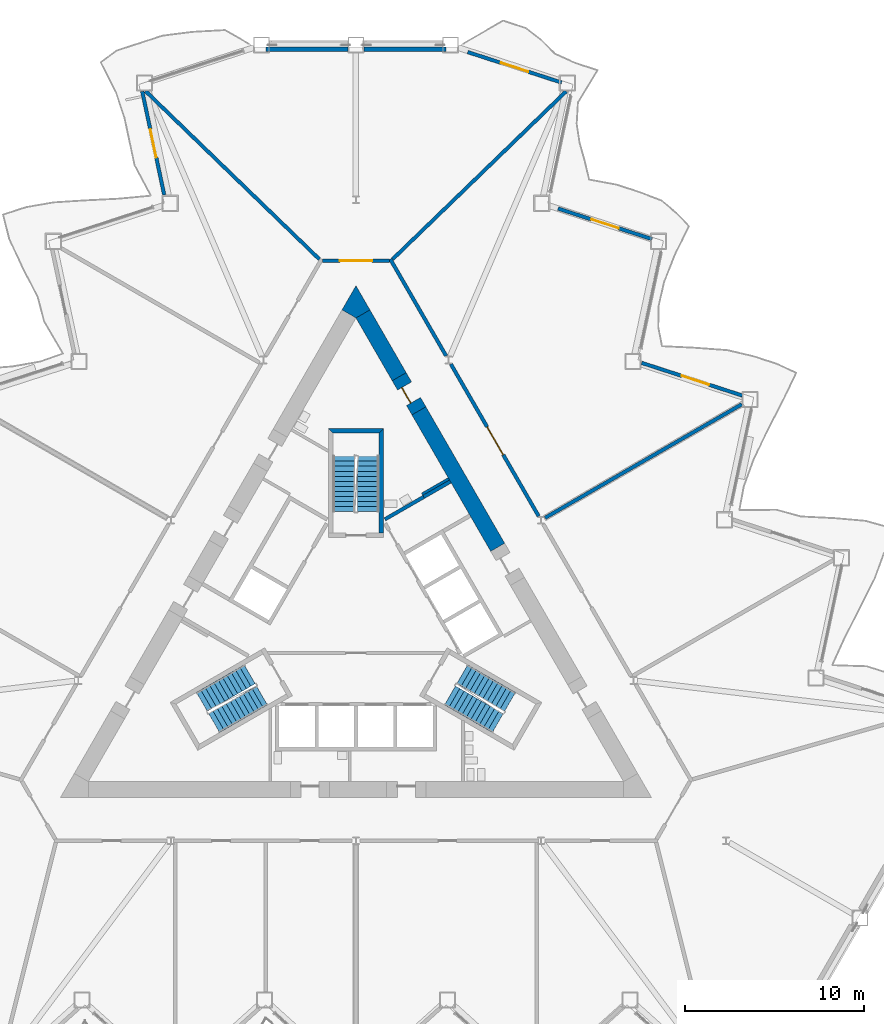
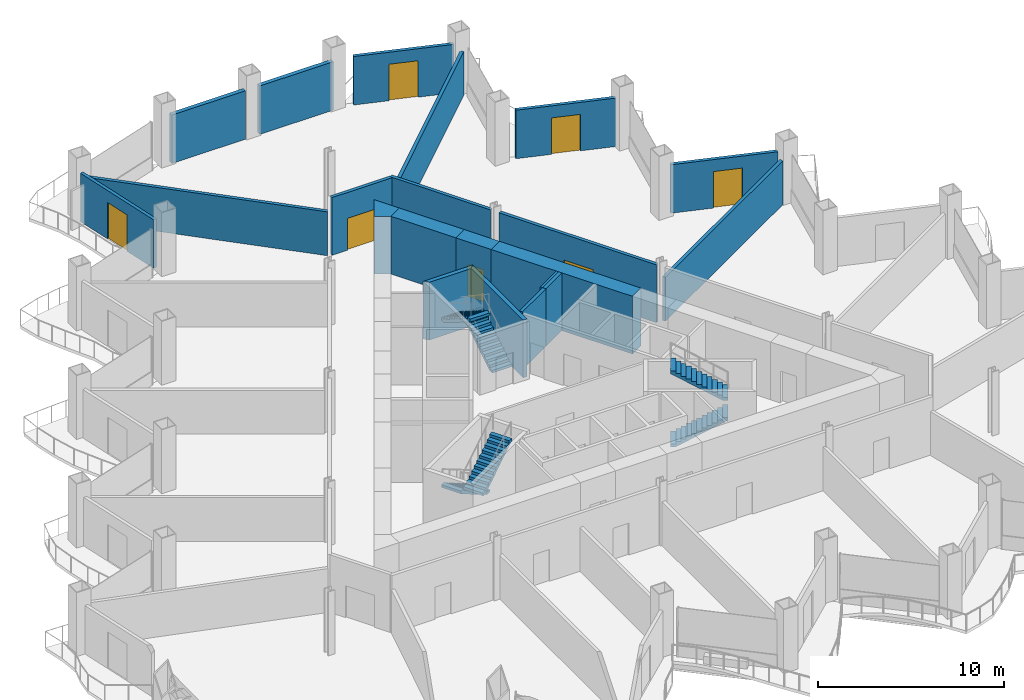
# One storey, part 13 of 21: 21 walls, 7 doors, 6 stair flights, 7 openings, 3 elements without a shape of their own.
"""IFC4 building model written with IfcOpenShell, lengths in metres."""

from ifc_helpers import new_model, si_unit, direction, frame, frame_2d, origin, place, context, subcontext, project, spatial, polyline, rectangle, outline, extrude, material, layer, layer_set, type_object, element, fill, aggregate, save


model = new_model("IFC4")

# Units and contexts
model_context = context("Model", 3, precision=1e-05, world=origin(), true_north=direction((0.0, 1.0)))
body_context = subcontext(model_context, "Body", "Model", "MODEL_VIEW")
ifc_project = project(units=[si_unit("LENGTHUNIT", "METRE"), si_unit("AREAUNIT", "SQUARE_METRE"), si_unit("VOLUMEUNIT", "CUBIC_METRE"), si_unit("PLANEANGLEUNIT", "RADIAN"), si_unit("MASSUNIT", "GRAM", prefix="KILO")], contexts=[model_context])

# Site, building, storey
site_placement = place(None, origin())
site = spatial("IfcSite", under=ifc_project, at=site_placement, CompositionType="ELEMENT")
building_placement = place(site_placement, origin())
building = spatial("IfcBuilding", under=site, at=building_placement, Name="Cormorant Prow Tower", CompositionType="ELEMENT")
storey_placement = place(building_placement, frame((0.0, 0.0, 129.0)))
storey = spatial("IfcBuildingStorey", under=building, at=storey_placement, Name="L27", CompositionType="ELEMENT", Elevation=129.0)

# Walls
ifc_material_1 = material(Name="Gypsum board partition")
ifc_layer_1 = layer(ifc_material_1, 0.14990234375)
ifc_layer_set_1 = layer_set([ifc_layer_1], Name="Gypsum board partition")
wall_type_1 = type_object("IfcWallType", Name="Core partition 150", PredefinedType="PARTITIONING", material=ifc_layer_set_1)
wall_1_placement = place(storey_placement, frame((3.693359375, 7.4150390625, 0.0), z_axis=(0.0, 0.0, 1.0), x_axis=(0.866024871741, 0.500000921525, 0.0)))
element("IfcWall", 1, at=wall_1_placement, inside=storey, type_object=wall_type_1, Name="Service room partition", PredefinedType="PARTITIONING", context=body_context, shape_type="SweptSolid", body=[
    extrude(rectangle(XDim=1.72021484375, YDim=0.14990234375, at=frame_2d((0.860107421875, 0.0))), origin(), (0.0, 0.0, 1.0), 3.800048828125),
])
ifc_material_2 = material(Name="Concrete 8000 psi", Category="concrete")
ifc_layer_2 = layer(ifc_material_2, 0.89990234375)
ifc_layer_set_2 = layer_set([ifc_layer_2], Name="Concrete 8000 psi")
wall_type_2 = type_object("IfcWallType", Name="Core shear wall 900", PredefinedType="SHEAR", material=ifc_layer_set_2)
wall_2_placement = place(storey_placement, frame((7.910400390625, 4.451416015625, 0.0), z_axis=(0.0, 0.0, 1.0), x_axis=(-0.500001962043, 0.866024270995, 0.0)))
element("IfcWall", 2, at=wall_2_placement, inside=storey, type_object=wall_type_2, Name="Core wall", PredefinedType="SHEAR", context=body_context, shape_type="SweptSolid", body=[
    extrude(rectangle(XDim=8.7958984375, YDim=0.89990234375, at=frame_2d((4.39794921875, 0.0))), origin(), (0.0, 0.0, 1.0), 3.800048828125),
])
wall_3_placement = place(storey_placement, frame((2.41259765625, 13.97412109375, 0.0), z_axis=(0.0, 0.0, 1.0), x_axis=(-0.500046330384, 0.865998653272, 0.0)))
element("IfcWall", 3, at=wall_3_placement, inside=storey, type_object=wall_type_2, Name="Core wall", PredefinedType="SHEAR", context=body_context, shape_type="SweptSolid", body=[
    extrude(rectangle(XDim=4.04541015625, YDim=0.89990234375, at=frame_2d((2.022705078125, 0.0))), origin(), (0.0, 0.0, 1.0), 3.800048828125),
])
wall_4_placement = place(storey_placement, origin())
element("IfcWall", 4, at=wall_4_placement, inside=storey, type_object=wall_type_2, Name="Core wall corner", PredefinedType="SHEAR", context=body_context, shape_type="SweptSolid", body=[
    extrude(outline(polyline([(-0.779296875, 17.70263671875), (0.0, 19.052490234375), (0.779296875, 17.70263671875), (0.0, 17.252685546875), (-0.779296875, 17.70263671875)])), origin(), (0.0, 0.0, 1.0), 3.800048828125),
])

# Wall, opening, door
wall_5_placement = place(storey_placement, frame((3.512451171875, 12.06884765625, 0.0), z_axis=(0.0, 0.0, 1.0), x_axis=(-0.499946605688, 0.86605622881, 0.0)))
wall_5 = element("IfcWall", 5, at=wall_5_placement, inside=storey, type_object=wall_type_2, Name="Core wall door panel", PredefinedType="SHEAR", context=body_context, shape_type="SweptSolid", body=[
    extrude(rectangle(XDim=2.199951171875, YDim=0.89990234375, at=frame_2d((1.10009765625, 0.0))), origin(), (0.0, 0.0, 1.0), 3.800048828125),
])
opening_1_placement = place(wall_5_placement, frame((0.60009765625, 0.0, 0.0)))
opening_1 = element("IfcOpeningElement", 6, at=opening_1_placement, cuts=wall_5, Name="Opening L27-C21", PredefinedType="OPENING", context=body_context, shape_type="SweptSolid", body=[
    extrude(rectangle(XDim=1.0, YDim=2.10009765625, at=frame_2d((0.5, 1.050048828125))), frame((0.0, 0.4599609375, 0.0), z_axis=(0.0, -1.0, 0.0), x_axis=(1.0, 0.0, 0.0)), (0.0, 0.0, 1.0), 0.919921875),
])
ifc_material_3 = material(Name="Painted steel", Category="steel")
door_type_1 = type_object("IfcDoorType", Name="Service door 1000x2100", OperationType="NOTDEFINED", PredefinedType="DOOR", material=ifc_material_3)
door_1_placement = place(opening_1_placement, origin())
door_1 = element("IfcDoor", 7, at=door_1_placement, inside=storey, type_object=door_type_1, Name="Core door, Toilets (men) L27", OperationType="SINGLE_SWING_LEFT", OverallHeight=2.10009765625, OverallWidth=1.0, PredefinedType="DOOR", context=body_context, shape_type="SweptSolid", body=[
    extrude(rectangle(XDim=1.0, YDim=2.10009765625, at=frame_2d((0.5, 1.050048828125))), frame((0.0, 0.205078125, 0.0), z_axis=(0.0, -1.0, 0.0), x_axis=(1.0, 0.0, 0.0)), (0.0, 0.0, 1.0), 0.050048828125),
])
fill(opening_1, door_1)

ifc_material_4 = material(Name="Gypsum board corridor wall")
ifc_layer_3 = layer(ifc_material_4, 0.199951171875)
ifc_layer_set_3 = layer_set([ifc_layer_3], Name="Gypsum board corridor wall")
wall_type_3 = type_object("IfcWallType", Name="Corridor wall 200", PredefinedType="PARTITIONING", material=ifc_layer_set_3)
wall_6_placement = place(storey_placement, frame((5.29541015625, 14.680419921875, 0.0), z_axis=(0.0, 0.0, 1.0), x_axis=(0.500012035596, -0.866018454918, 0.0)))
wall_6 = element("IfcWall", 8, at=wall_6_placement, inside=storey, type_object=wall_type_3, Name="Corridor wall", PredefinedType="PARTITIONING", context=body_context, shape_type="SweptSolid", body=[
    extrude(rectangle(XDim=9.803466796875, YDim=0.199951171875, at=frame_2d((4.90185546875, 0.0))), origin(), (0.0, 0.0, 1.0), 3.800048828125),
])
opening_2_placement = place(wall_6_placement, frame((4.0517578125, 0.0, 0.0)))
opening_2 = element("IfcOpeningElement", 9, at=opening_2_placement, cuts=wall_6, Name="Opening L27-F09", PredefinedType="OPENING", context=body_context, shape_type="SweptSolid", body=[
    extrude(rectangle(XDim=1.800048828125, YDim=2.10009765625, at=frame_2d((0.89990234375, 1.050048828125))), frame((0.0, 0.10986328125, 0.0), z_axis=(0.0, -1.0, 0.0), x_axis=(1.0, 0.0, 0.0)), (0.0, 0.0, 1.0), 0.219970703125),
])
ifc_material_5 = material(Name="Timber door leaf", Category="wood")
door_type_2 = type_object("IfcDoorType", Name="Double door 1800x2100", OperationType="DOUBLE_DOOR_SINGLE_SWING", PredefinedType="DOOR", material=ifc_material_5)
door_2_placement = place(opening_2_placement, origin())
door_2 = element("IfcDoor", 10, at=door_2_placement, inside=storey, type_object=door_type_2, Name="Trading room door", OperationType="DOUBLE_DOOR_SINGLE_SWING", OverallHeight=2.10009765625, OverallWidth=1.800048828125, PredefinedType="DOOR", context=body_context, shape_type="SweptSolid", body=[
    extrude(rectangle(XDim=1.800048828125, YDim=2.10009765625, at=frame_2d((0.89990234375, 1.050048828125))), frame((0.0, 0.02490234375, 0.0), z_axis=(0.0, -1.0, 0.0), x_axis=(1.0, 0.0, 0.0)), (0.0, 0.0, 1.0), 0.050048828125),
])
fill(opening_2, door_2)

# Wall
wall_7_placement = place(storey_placement, frame((1.9130859375, 20.539306640625, 0.0), z_axis=(0.0, 0.0, 1.0), x_axis=(0.499980978912, -0.866036385336, 0.0)))
element("IfcWall", 11, at=wall_7_placement, inside=storey, type_object=wall_type_3, Name="Corridor wall", PredefinedType="PARTITIONING", context=body_context, shape_type="SweptSolid", body=[
    extrude(rectangle(XDim=6.239990234375, YDim=0.199951171875, at=frame_2d((3.1201171875, 0.0))), origin(), (0.0, 0.0, 1.0), 3.800048828125),
])

# Wall, opening, door
wall_8_placement = place(storey_placement, frame((-1.863037109375, 20.45263671875, 0.0), z_axis=(0.0, 0.0, 1.0), x_axis=(1.0, 0.0, 0.0)))
wall_8 = element("IfcWall", 12, at=wall_8_placement, inside=storey, type_object=wall_type_3, Name="Corridor wall", PredefinedType="PARTITIONING", context=body_context, shape_type="SweptSolid", body=[
    extrude(rectangle(XDim=3.72607421875, YDim=0.199951171875, at=frame_2d((1.863037109375, 0.0))), origin(), (0.0, 0.0, 1.0), 3.800048828125),
])
opening_3_placement = place(wall_8_placement, frame((0.962890625, 0.0, 0.0)))
opening_3 = element("IfcOpeningElement", 13, at=opening_3_placement, cuts=wall_8, Name="Opening L27-F10", PredefinedType="OPENING", context=body_context, shape_type="SweptSolid", body=[
    extrude(rectangle(XDim=1.800048828125, YDim=2.10009765625, at=frame_2d((0.89990234375, 1.050048828125))), frame((0.0, 0.10986328125, 0.0), z_axis=(0.0, -1.0, 0.0), x_axis=(1.0, 0.0, 0.0)), (0.0, 0.0, 1.0), 0.219970703125),
])
door_3_placement = place(opening_3_placement, origin())
door_3 = element("IfcDoor", 14, at=door_3_placement, inside=storey, type_object=door_type_2, Name="Open-plan office door", OperationType="DOUBLE_DOOR_SINGLE_SWING", OverallHeight=2.10009765625, OverallWidth=1.800048828125, PredefinedType="DOOR", context=body_context, shape_type="SweptSolid", body=[
    extrude(rectangle(XDim=1.800048828125, YDim=2.10009765625, at=frame_2d((0.89990234375, 1.050048828125))), frame((0.0, 0.02490234375, 0.0), z_axis=(0.0, -1.0, 0.0), x_axis=(1.0, 0.0, 0.0)), (0.0, 0.0, 1.0), 0.050048828125),
])
fill(opening_3, door_3)

# Walls
ifc_material_6 = material(Name="Gypsum board demising wall")
ifc_layer_4 = layer(ifc_material_6, 0.199951171875)
ifc_layer_set_4 = layer_set([ifc_layer_4], Name="Gypsum board demising wall")
wall_type_4 = type_object("IfcWallType", Name="Demising wall 200", PredefinedType="PARTITIONING", material=ifc_layer_set_4)
for number, where, z_axis, x_axis, name in (
    (15, (-11.737060546875, 29.90625, 0.0), (0.0, 0.0, 1.0), (0.718783474817, -0.695234001132, 0.0), "Demising wall"),
    (16, (2.034912109375, 20.52197265625, 0.0), (0.0, 0.0, 1.0), (0.718783474817, 0.695234001132, 0.0), "Demising wall"),
):
    element("IfcWall", number, at=place(storey_placement, frame(where, z_axis=z_axis, x_axis=x_axis)), inside=storey, type_object=wall_type_4, Name=name, PredefinedType="PARTITIONING", context=body_context, shape_type="SweptSolid", body=[
        extrude(rectangle(XDim=13.498046875, YDim=0.199951171875, at=frame_2d((6.7490234375, 0.0))), origin(), (0.0, 0.0, 1.0), 2.88525390625),
    ])
wall_9_placement = place(storey_placement, frame((10.555908203125, 6.094482421875, 0.0), z_axis=(0.0, 0.0, 1.0), x_axis=(0.86602461759, 0.500001361726, 0.0)))
element("IfcWall", 17, at=wall_9_placement, inside=storey, type_object=wall_type_4, Name="Demising wall", PredefinedType="PARTITIONING", context=body_context, shape_type="SweptSolid", body=[
    extrude(rectangle(XDim=12.67919921875, YDim=0.199951171875, at=frame_2d((6.339599609375, 0.0))), origin(), (0.0, 0.0, 1.0), 2.88525390625),
])
ifc_material_7 = material(Name="Concrete 8000 psi", Category="concrete")
ifc_layer_5 = layer(ifc_material_7, 0.199951171875)
ifc_layer_set_5 = layer_set([ifc_layer_5], Name="Concrete 8000 psi")
wall_type_5 = type_object("IfcWallType", Name="Lift shaft wall 200", PredefinedType="SHEAR", material=ifc_layer_set_5)
wall_10_placement = place(storey_placement, origin())
element("IfcWall", 18, at=wall_10_placement, inside=storey, type_object=wall_type_5, Name="Lift shaft walls, ENE block", PredefinedType="SHEAR", context=body_context, shape_type="SweptSolid", body=[
    extrude(outline(polyline([(1.560546875, 6.09716796875), (3.730712890625, 7.35009765625), (3.830810546875, 7.177001953125), (1.660400390625, 5.923828125), (1.560546875, 6.09716796875)])), origin(), (0.0, 0.0, 1.0), 3.800048828125),
])
wall_11_placement = place(storey_placement, frame((3.78076171875, 7.263427734375, 0.0), z_axis=(0.0, 0.0, 1.0), x_axis=(0.865963414263, 0.500107353632, 0.0)))
element("IfcWall", 19, at=wall_11_placement, inside=storey, type_object=wall_type_5, Name="Store side wall", PredefinedType="SHEAR", context=body_context, shape_type="SweptSolid", body=[
    extrude(rectangle(XDim=1.72021484375, YDim=0.199951171875, at=frame_2d((0.860107421875, 0.0))), origin(), (0.0, 0.0, 1.0), 3.800048828125),
])
ifc_material_8 = material(Name="Concrete 8000 psi", Category="concrete")
ifc_layer_6 = layer(ifc_material_8, 0.25)
ifc_layer_set_6 = layer_set([ifc_layer_6], Name="Concrete 8000 psi")
wall_type_6 = type_object("IfcWallType", Name="Stair wall 250", PredefinedType="SHEAR", material=ifc_layer_set_6)
wall_12_placement = place(storey_placement, origin())
element("IfcWall", 20, at=wall_12_placement, inside=storey, type_object=wall_type_6, Name="Stair ST3 enclosure wall (flank)", PredefinedType="SHEAR", context=body_context, shape_type="SweptSolid", body=[
    extrude(outline(polyline([(1.5439453125, 5.23681640625), (1.5439453125, 11.0869140625), (1.2939453125, 10.8369140625), (1.2939453125, 5.23681640625), (1.5439453125, 5.23681640625)])), origin(), (0.0, 0.0, 1.0), 3.800048828125),
])
wall_13_placement = place(storey_placement, origin())
element("IfcWall", 21, at=wall_13_placement, inside=storey, type_object=wall_type_6, Name="Stair ST3 enclosure wall (end)", PredefinedType="SHEAR", context=body_context, shape_type="SweptSolid", body=[
    extrude(outline(polyline([(1.5439453125, 11.0869140625), (-1.5439453125, 11.0869140625), (-1.2939453125, 10.8369140625), (1.2939453125, 10.8369140625), (1.5439453125, 11.0869140625)])), origin(), (0.0, 0.0, 1.0), 3.800048828125),
])
ifc_material_9 = material(Name="Terracotta", Category="masonry")
ifc_layer_7 = layer(ifc_material_9, 0.25)
ifc_layer_set_7 = layer_set([ifc_layer_7], Name="Terracotta")
wall_type_7 = type_object("IfcWallType", Name="Terracotta bay wall 250", PredefinedType="SOLIDWALL", material=ifc_layer_set_7)
for number, where, z_axis, x_axis, name in (
    (22, (5.025146484375, 32.261474609375, 0.0), (0.0, 0.0, 1.0), (-1.0, 0.0, 0.0), "Terracotta bay wall N00"),
    (23, (-0.449951171875, 32.261474609375, 0.0), (0.0, 0.0, 1.0), (-1.0, 0.0, 0.0), "Terracotta bay wall N01"),
):
    element("IfcWall", number, at=place(storey_placement, frame(where, z_axis=z_axis, x_axis=x_axis)), inside=storey, type_object=wall_type_7, Name=name, PredefinedType="SOLIDWALL", context=body_context, shape_type="SweptSolid", body=[
        extrude(rectangle(XDim=4.5751953125, YDim=0.25, at=frame_2d((2.28759765625, 0.0))), origin(), (0.0, 0.0, 1.0), 3.18896484375),
    ])

# Wall, opening, door
ifc_material_10 = material(Name="Terracotta", Category="masonry")
ifc_layer_8 = layer(ifc_material_10, 0.199951171875)
ifc_layer_set_8 = layer_set([ifc_layer_8], Name="Terracotta")
wall_type_8 = type_object("IfcWallType", Name="Terracotta jamb wall 200", PredefinedType="SOLIDWALL", material=ifc_layer_set_8)
wall_14_placement = place(storey_placement, frame((21.566650390625, 12.919921875, 0.0), z_axis=(0.0, 0.0, 1.0), x_axis=(-0.951051366173, 0.309032844373, 0.0)))
wall_14 = element("IfcWall", 24, at=wall_14_placement, inside=storey, type_object=wall_type_8, Name="Terracotta jamb wall ENE05", PredefinedType="SOLIDWALL", context=body_context, shape_type="SweptSolid", body=[
    extrude(rectangle(XDim=5.91162109375, YDim=0.199951171875, at=frame_2d((2.955810546875, 0.0))), origin(), (0.0, 0.0, 1.0), 3.18896484375),
])
opening_4_placement = place(wall_14_placement, frame((1.957275390625, 0.0, 0.0)))
opening_4 = element("IfcOpeningElement", 25, at=opening_4_placement, cuts=wall_14, Name="Opening ED27.08", PredefinedType="OPENING", context=body_context, shape_type="SweptSolid", body=[
    extrude(rectangle(XDim=1.60009765625, YDim=2.39990234375, at=frame_2d((0.800048828125, 1.199951171875))), frame((0.0, 0.10986328125, 0.0), z_axis=(0.0, -1.0, 0.0), x_axis=(1.0, 0.0, 0.0)), (0.0, 0.0, 1.0), 0.219970703125),
])
ifc_material_11 = material(Name="Aluminium 6063-T6", Category="aluminium")
door_type_3 = type_object("IfcDoorType", Name="Balcony door 1600x2400", OperationType="DOUBLE_DOOR_SINGLE_SWING", PredefinedType="DOOR", material=ifc_material_11)
door_4_placement = place(opening_4_placement, origin())
door_4 = element("IfcDoor", 26, at=door_4_placement, inside=storey, type_object=door_type_3, Name="Balcony door ENE05 ED27.08", OperationType="DOUBLE_DOOR_SINGLE_SWING", OverallHeight=2.39990234375, OverallWidth=1.60009765625, PredefinedType="DOOR", context=body_context, shape_type="SweptSolid", body=[
    extrude(rectangle(XDim=1.60009765625, YDim=2.39990234375, at=frame_2d((0.800048828125, 1.199951171875))), frame((0.0, 0.02490234375, 0.0), z_axis=(0.0, -1.0, 0.0), x_axis=(1.0, 0.0, 0.0)), (0.0, 0.0, 1.0), 0.050048828125),
])
fill(opening_4, door_4)

wall_15_placement = place(storey_placement, frame((16.523193359375, 21.6552734375, 0.0), z_axis=(0.0, 0.0, 1.0), x_axis=(-0.951055539332, 0.309020001142, 0.0)))
wall_15 = element("IfcWall", 27, at=wall_15_placement, inside=storey, type_object=wall_type_8, Name="Terracotta jamb wall ENE07", PredefinedType="SOLIDWALL", context=body_context, shape_type="SweptSolid", body=[
    extrude(rectangle(XDim=5.5146484375, YDim=0.199951171875, at=frame_2d((2.75732421875, 0.0))), origin(), (0.0, 0.0, 1.0), 3.18896484375),
])
opening_5_placement = place(wall_15_placement, frame((1.957275390625, 0.0, 0.0)))
opening_5 = element("IfcOpeningElement", 28, at=opening_5_placement, cuts=wall_15, Name="Opening ED27.09", PredefinedType="OPENING", context=body_context, shape_type="SweptSolid", body=[
    extrude(rectangle(XDim=1.60009765625, YDim=2.39990234375, at=frame_2d((0.800048828125, 1.199951171875))), frame((0.0, 0.10986328125, 0.0), z_axis=(0.0, -1.0, 0.0), x_axis=(1.0, 0.0, 0.0)), (0.0, 0.0, 1.0), 0.219970703125),
])
door_5_placement = place(opening_5_placement, origin())
door_5 = element("IfcDoor", 29, at=door_5_placement, inside=storey, type_object=door_type_3, Name="Balcony door ENE07 ED27.09", OperationType="DOUBLE_DOOR_SINGLE_SWING", OverallHeight=2.39990234375, OverallWidth=1.60009765625, PredefinedType="DOOR", context=body_context, shape_type="SweptSolid", body=[
    extrude(rectangle(XDim=1.60009765625, YDim=2.39990234375, at=frame_2d((0.800048828125, 1.199951171875))), frame((0.0, 0.02490234375, 0.0), z_axis=(0.0, -1.0, 0.0), x_axis=(1.0, 0.0, 0.0)), (0.0, 0.0, 1.0), 0.050048828125),
])
fill(opening_5, door_5)

wall_16_placement = place(storey_placement, frame((11.479736328125, 30.390869140625, 0.0), z_axis=(0.0, 0.0, 1.0), x_axis=(-0.951055539332, 0.309020001142, 0.0)))
wall_16 = element("IfcWall", 30, at=wall_16_placement, inside=storey, type_object=wall_type_8, Name="Terracotta jamb wall ENE09", PredefinedType="SOLIDWALL", context=body_context, shape_type="SweptSolid", body=[
    extrude(rectangle(XDim=5.5146484375, YDim=0.199951171875, at=frame_2d((2.75732421875, 0.0))), origin(), (0.0, 0.0, 1.0), 3.18896484375),
])
opening_6_placement = place(wall_16_placement, frame((1.957275390625, 0.0, 0.0)))
opening_6 = element("IfcOpeningElement", 31, at=opening_6_placement, cuts=wall_16, Name="Opening ED27.10", PredefinedType="OPENING", context=body_context, shape_type="SweptSolid", body=[
    extrude(rectangle(XDim=1.60009765625, YDim=2.39990234375, at=frame_2d((0.800048828125, 1.199951171875))), frame((0.0, 0.10986328125, 0.0), z_axis=(0.0, -1.0, 0.0), x_axis=(1.0, 0.0, 0.0)), (0.0, 0.0, 1.0), 0.219970703125),
])
door_6_placement = place(opening_6_placement, origin())
door_6 = element("IfcDoor", 32, at=door_6_placement, inside=storey, type_object=door_type_3, Name="Balcony door ENE09 ED27.10", OperationType="DOUBLE_DOOR_SINGLE_SWING", OverallHeight=2.39990234375, OverallWidth=1.60009765625, PredefinedType="DOOR", context=body_context, shape_type="SweptSolid", body=[
    extrude(rectangle(XDim=1.60009765625, YDim=2.39990234375, at=frame_2d((0.800048828125, 1.199951171875))), frame((0.0, 0.02490234375, 0.0), z_axis=(0.0, -1.0, 0.0), x_axis=(1.0, 0.0, 0.0)), (0.0, 0.0, 1.0), 0.050048828125),
])
fill(opening_6, door_6)

wall_17_placement = place(storey_placement, frame((-11.930419921875, 29.899658203125, 0.0), z_axis=(0.0, 0.0, 1.0), x_axis=(0.207917562075, -0.978146352741, 0.0)))
wall_17 = element("IfcWall", 33, at=wall_17_placement, inside=storey, type_object=wall_type_8, Name="Terracotta jamb wall WNW01", PredefinedType="SOLIDWALL", context=body_context, shape_type="SweptSolid", body=[
    extrude(rectangle(XDim=5.90869140625, YDim=0.199951171875, at=frame_2d((2.954345703125, 0.0))), origin(), (0.0, 0.0, 1.0), 3.18896484375),
])
opening_7_placement = place(wall_17_placement, frame((2.173583984375, 0.0, 0.0)))
opening_7 = element("IfcOpeningElement", 34, at=opening_7_placement, cuts=wall_17, Name="Opening ED27.11", PredefinedType="OPENING", context=body_context, shape_type="SweptSolid", body=[
    extrude(rectangle(XDim=1.60009765625, YDim=2.39990234375, at=frame_2d((0.800048828125, 1.199951171875))), frame((0.0, 0.10986328125, 0.0), z_axis=(0.0, -1.0, 0.0), x_axis=(1.0, 0.0, 0.0)), (0.0, 0.0, 1.0), 0.219970703125),
])
door_7_placement = place(opening_7_placement, origin())
door_7 = element("IfcDoor", 35, at=door_7_placement, inside=storey, type_object=door_type_3, Name="Balcony door WNW01 ED27.11", OperationType="DOUBLE_DOOR_SINGLE_SWING", OverallHeight=2.39990234375, OverallWidth=1.60009765625, PredefinedType="DOOR", context=body_context, shape_type="SweptSolid", body=[
    extrude(rectangle(XDim=1.60009765625, YDim=2.39990234375, at=frame_2d((0.800048828125, 1.199951171875))), frame((0.0, 0.02490234375, 0.0), z_axis=(0.0, -1.0, 0.0), x_axis=(1.0, 0.0, 0.0)), (0.0, 0.0, 1.0), 0.050048828125),
])
fill(opening_7, door_7)

# Stair, stair flights
ifc_material_12 = material(Name="Exit stair 24 risers")
stair_type = type_object("IfcStairType", Name="Exit stair 24 risers", PredefinedType="HALF_TURN_STAIR", material=ifc_material_12)
stair_1_placement = place(storey_placement, origin())
stair_1 = element("IfcStair", 36, at=stair_1_placement, inside=storey, type_object=stair_type, Name="L27 Exit stair ST1", PredefinedType="HALF_TURN_STAIR")
ifc_material_13 = material(Name="Concrete 5000 psi", Category="concrete")
stair_flight_type = type_object("IfcStairFlightType", Name="Stair flight 1219", PredefinedType="STRAIGHT", material=ifc_material_13)
stair_flight_1_placement = place(storey_placement, frame((-5.93310546875, -2.635009765625, 0.0), z_axis=(0.0, 0.0, 1.0), x_axis=(-0.866025403784, -0.5, 0.0)))
stair_flight_1 = element("IfcStairFlight", 37, at=stair_flight_1_placement, type_object=stair_flight_type, Name="ST1 flight 1", NumberOfRisers=12, NumberOfTreads=11, PredefinedType="STRAIGHT", RiserHeight=0.175, TreadLength=0.28, context=body_context, shape_type="SweptSolid", body=[
    extrude(outline(polyline([(0.0, 0.0), (0.0, 0.175048828125), (0.280029296875, 0.175048828125), (0.280029296875, 0.35009765625), (0.56005859375, 0.35009765625), (0.56005859375, 0.52490234375), (0.840087890625, 0.52490234375), (0.840087890625, 0.699951171875), (1.1201171875, 0.699951171875), (1.1201171875, 0.875), (1.39990234375, 0.875), (1.39990234375, 1.050048828125), (1.679931640625, 1.050048828125), (1.679931640625, 1.22509765625), (1.9599609375, 1.22509765625), (1.9599609375, 1.39990234375), (2.239990234375, 1.39990234375), (2.239990234375, 1.574951171875), (2.52001953125, 1.574951171875), (2.52001953125, 1.75), (2.800048828125, 1.75), (2.800048828125, 1.925048828125), (3.080078125, 1.925048828125), (3.080078125, 2.10009765625), (3.080078125, 1.748291015625), (0.28271484375, 0.0), (0.0, 0.0)])), frame((0.0, 0.609375, 0.0), z_axis=(0.0, -1.0, 0.0), x_axis=(1.0, 0.0, 0.0)), (0.0, 0.0, 1.0), 1.218994140625),
])
stair_flight_2_placement = place(storey_placement, frame((-7.916015625, -5.360595703125, 2.10009765625), z_axis=(0.0, 0.0, 1.0), x_axis=(0.866025403784, 0.5, 0.0)))
stair_flight_2 = element("IfcStairFlight", 38, at=stair_flight_2_placement, type_object=stair_flight_type, Name="ST1 flight 2", NumberOfRisers=12, NumberOfTreads=11, PredefinedType="STRAIGHT", RiserHeight=0.175, TreadLength=0.28, context=body_context, shape_type="SweptSolid", body=[
    extrude(outline(polyline([(0.0, 0.0), (0.0, 0.175048828125), (0.280029296875, 0.175048828125), (0.280029296875, 0.35009765625), (0.56005859375, 0.35009765625), (0.56005859375, 0.52490234375), (0.840087890625, 0.52490234375), (0.840087890625, 0.699951171875), (1.1201171875, 0.699951171875), (1.1201171875, 0.875), (1.39990234375, 0.875), (1.39990234375, 1.050048828125), (1.679931640625, 1.050048828125), (1.679931640625, 1.22509765625), (1.9599609375, 1.22509765625), (1.9599609375, 1.39990234375), (2.239990234375, 1.39990234375), (2.239990234375, 1.574951171875), (2.52001953125, 1.574951171875), (2.52001953125, 1.75), (2.800048828125, 1.75), (2.800048828125, 1.925048828125), (3.080078125, 1.925048828125), (3.080078125, 2.10009765625), (3.080078125, 1.748291015625), (0.28271484375, 0.0), (0.0, 0.0)])), frame((0.0, 0.609375, 0.0), z_axis=(0.0, -1.0, 0.0), x_axis=(1.0, 0.0, 0.0)), (0.0, 0.0, 1.0), 1.218994140625),
])
aggregate(stair_1, [stair_flight_1, stair_flight_2])

stair_2_placement = place(storey_placement, origin())
stair_2 = element("IfcStair", 39, at=stair_2_placement, inside=storey, type_object=stair_type, Name="L27 Exit stair ST2", PredefinedType="HALF_TURN_STAIR")
stair_flight_3_placement = place(storey_placement, frame((5.24853515625, -3.82080078125, 0.0), z_axis=(0.0, 0.0, 1.0), x_axis=(0.866025403784, -0.5, 0.0)))
stair_flight_3 = element("IfcStairFlight", 40, at=stair_flight_3_placement, type_object=stair_flight_type, Name="ST2 flight 1", NumberOfRisers=12, NumberOfTreads=11, PredefinedType="STRAIGHT", RiserHeight=0.175, TreadLength=0.28, context=body_context, shape_type="SweptSolid", body=[
    extrude(outline(polyline([(0.0, 0.0), (0.0, 0.175048828125), (0.280029296875, 0.175048828125), (0.280029296875, 0.35009765625), (0.56005859375, 0.35009765625), (0.56005859375, 0.52490234375), (0.840087890625, 0.52490234375), (0.840087890625, 0.699951171875), (1.1201171875, 0.699951171875), (1.1201171875, 0.875), (1.39990234375, 0.875), (1.39990234375, 1.050048828125), (1.679931640625, 1.050048828125), (1.679931640625, 1.22509765625), (1.9599609375, 1.22509765625), (1.9599609375, 1.39990234375), (2.239990234375, 1.39990234375), (2.239990234375, 1.574951171875), (2.52001953125, 1.574951171875), (2.52001953125, 1.75), (2.800048828125, 1.75), (2.800048828125, 1.925048828125), (3.080078125, 1.925048828125), (3.080078125, 2.10009765625), (3.080078125, 1.748291015625), (0.28271484375, 0.0), (0.0, 0.0)])), frame((0.0, 0.609375, 0.0), z_axis=(0.0, -1.0, 0.0), x_axis=(1.0, 0.0, 0.0)), (0.0, 0.0, 1.0), 1.218994140625),
])
stair_flight_4_placement = place(storey_placement, frame((8.6005859375, -4.175048828125, 2.10009765625), z_axis=(0.0, 0.0, 1.0), x_axis=(-0.866025403784, 0.5, 0.0)))
stair_flight_4 = element("IfcStairFlight", 41, at=stair_flight_4_placement, type_object=stair_flight_type, Name="ST2 flight 2", NumberOfRisers=12, NumberOfTreads=11, PredefinedType="STRAIGHT", RiserHeight=0.175, TreadLength=0.28, context=body_context, shape_type="SweptSolid", body=[
    extrude(outline(polyline([(0.0, 0.0), (0.0, 0.175048828125), (0.280029296875, 0.175048828125), (0.280029296875, 0.35009765625), (0.56005859375, 0.35009765625), (0.56005859375, 0.52490234375), (0.840087890625, 0.52490234375), (0.840087890625, 0.699951171875), (1.1201171875, 0.699951171875), (1.1201171875, 0.875), (1.39990234375, 0.875), (1.39990234375, 1.050048828125), (1.679931640625, 1.050048828125), (1.679931640625, 1.22509765625), (1.9599609375, 1.22509765625), (1.9599609375, 1.39990234375), (2.239990234375, 1.39990234375), (2.239990234375, 1.574951171875), (2.52001953125, 1.574951171875), (2.52001953125, 1.75), (2.800048828125, 1.75), (2.800048828125, 1.925048828125), (3.080078125, 1.925048828125), (3.080078125, 2.10009765625), (3.080078125, 1.748291015625), (0.28271484375, 0.0), (0.0, 0.0)])), frame((0.0, 0.609375, 0.0), z_axis=(0.0, -1.0, 0.0), x_axis=(1.0, 0.0, 0.0)), (0.0, 0.0, 1.0), 1.218994140625),
])
aggregate(stair_2, [stair_flight_3, stair_flight_4])

stair_3_placement = place(storey_placement, origin())
stair_3 = element("IfcStair", 42, at=stair_3_placement, inside=storey, type_object=stair_type, Name="L27 Exit stair ST3", PredefinedType="HALF_TURN_STAIR")
stair_flight_5_placement = place(storey_placement, frame((0.6845703125, 6.455810546875, 0.0), z_axis=(0.0, 0.0, 1.0), x_axis=(0.0, 1.0, 0.0)))
stair_flight_5 = element("IfcStairFlight", 43, at=stair_flight_5_placement, type_object=stair_flight_type, Name="ST3 flight 1", NumberOfRisers=12, NumberOfTreads=11, PredefinedType="STRAIGHT", RiserHeight=0.175, TreadLength=0.28, context=body_context, shape_type="SweptSolid", body=[
    extrude(outline(polyline([(0.0, 0.0), (0.0, 0.175048828125), (0.280029296875, 0.175048828125), (0.280029296875, 0.35009765625), (0.56005859375, 0.35009765625), (0.56005859375, 0.52490234375), (0.840087890625, 0.52490234375), (0.840087890625, 0.699951171875), (1.1201171875, 0.699951171875), (1.1201171875, 0.875), (1.39990234375, 0.875), (1.39990234375, 1.050048828125), (1.679931640625, 1.050048828125), (1.679931640625, 1.22509765625), (1.9599609375, 1.22509765625), (1.9599609375, 1.39990234375), (2.239990234375, 1.39990234375), (2.239990234375, 1.574951171875), (2.52001953125, 1.574951171875), (2.52001953125, 1.75), (2.800048828125, 1.75), (2.800048828125, 1.925048828125), (3.080078125, 1.925048828125), (3.080078125, 2.10009765625), (3.080078125, 1.748291015625), (0.28271484375, 0.0), (0.0, 0.0)])), frame((0.0, 0.609375, 0.0), z_axis=(0.0, -1.0, 0.0), x_axis=(1.0, 0.0, 0.0)), (0.0, 0.0, 1.0), 1.218994140625),
])
stair_flight_6_placement = place(storey_placement, frame((-0.6845703125, 9.535888671875, 2.10009765625), z_axis=(0.0, 0.0, 1.0), x_axis=(0.0, -1.0, 0.0)))
stair_flight_6 = element("IfcStairFlight", 44, at=stair_flight_6_placement, type_object=stair_flight_type, Name="ST3 flight 2", NumberOfRisers=12, NumberOfTreads=11, PredefinedType="STRAIGHT", RiserHeight=0.175, TreadLength=0.28, context=body_context, shape_type="SweptSolid", body=[
    extrude(outline(polyline([(0.0, 0.0), (0.0, 0.175048828125), (0.280029296875, 0.175048828125), (0.280029296875, 0.35009765625), (0.56005859375, 0.35009765625), (0.56005859375, 0.52490234375), (0.840087890625, 0.52490234375), (0.840087890625, 0.699951171875), (1.1201171875, 0.699951171875), (1.1201171875, 0.875), (1.39990234375, 0.875), (1.39990234375, 1.050048828125), (1.679931640625, 1.050048828125), (1.679931640625, 1.22509765625), (1.9599609375, 1.22509765625), (1.9599609375, 1.39990234375), (2.239990234375, 1.39990234375), (2.239990234375, 1.574951171875), (2.52001953125, 1.574951171875), (2.52001953125, 1.75), (2.800048828125, 1.75), (2.800048828125, 1.925048828125), (3.080078125, 1.925048828125), (3.080078125, 2.10009765625), (3.080078125, 1.748291015625), (0.28271484375, 0.0), (0.0, 0.0)])), frame((0.0, 0.609375, 0.0), z_axis=(0.0, -1.0, 0.0), x_axis=(1.0, 0.0, 0.0)), (0.0, 0.0, 1.0), 1.218994140625),
])
aggregate(stair_3, [stair_flight_5, stair_flight_6])

save(model, "model.ifc")
